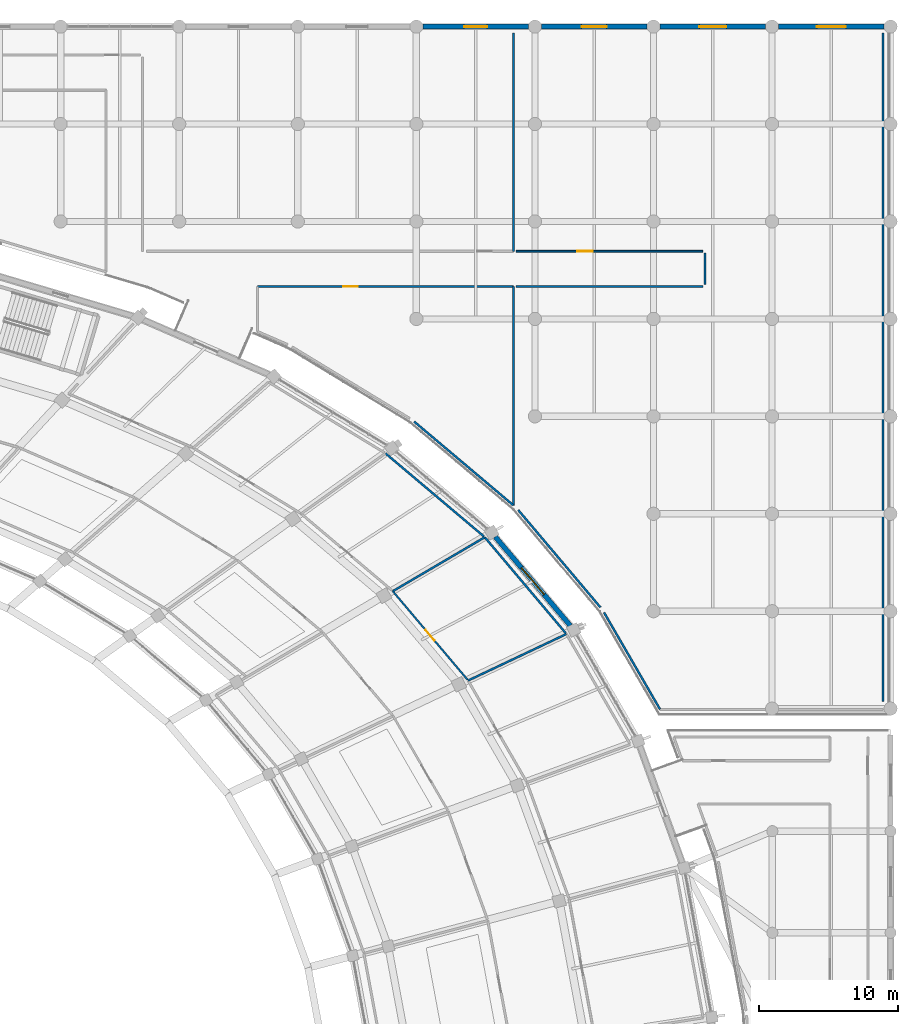
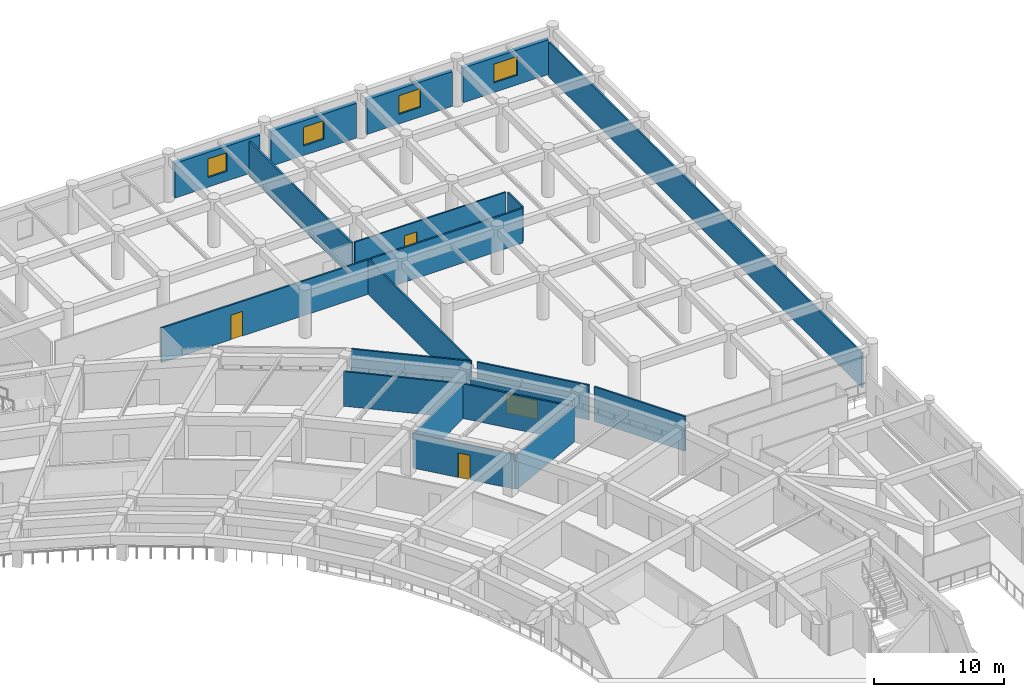
# One storey, part 114 of 145: 20 walls, 5 windows, 3 doors, 8 openings.
"""IFC4 building model written with IfcOpenShell, lengths in metres."""

from ifc_helpers import new_model, si_unit, direction, frame, frame_2d, origin, place, context, subcontext, project, spatial, rectangle, extrude, material, layer, layer_set, type_object, element, fill, save


model = new_model("IFC4")

# Units and contexts
model_context = context("Model", 3, precision=1e-05, world=origin(), true_north=direction((0.0, 1.0)))
body_context = subcontext(model_context, "Body", "Model", "MODEL_VIEW")
ifc_project = project(units=[si_unit("LENGTHUNIT", "METRE"), si_unit("AREAUNIT", "SQUARE_METRE"), si_unit("VOLUMEUNIT", "CUBIC_METRE"), si_unit("PLANEANGLEUNIT", "RADIAN"), si_unit("MASSUNIT", "GRAM", prefix="KILO")], contexts=[model_context])

# Site, building, storey
site_placement = place(None, origin())
site = spatial("IfcSite", under=ifc_project, at=site_placement, CompositionType="ELEMENT")
building_placement = place(site_placement, origin())
building = spatial("IfcBuilding", under=site, at=building_placement, Name="Mphavela Belvedere Stadium", CompositionType="ELEMENT")
storey_placement = place(building_placement, frame((0.0, 0.0, 10.199951171875)))
storey = spatial("IfcBuildingStorey", under=building, at=storey_placement, Name="L02", CompositionType="ELEMENT", Elevation=10.199951171875)

# Wall, opening, window
ifc_material_1 = material(Name="Honed ashlar limestone masonry", Category="masonry")
ifc_layer_1 = layer(ifc_material_1, 0.35009765625)
ifc_layer_set_1 = layer_set([ifc_layer_1], Name="Honed ashlar limestone masonry")
wall_type_1 = type_object("IfcWallType", Name="WAL-EXT-ASHLAR-350", PredefinedType="STANDARD", material=ifc_layer_set_1)
wall_1_placement = place(storey_placement, frame((206.985595703125, 130.965576171875, 0.0), z_axis=(0.0, 0.0, 1.0), x_axis=(-0.64515466323, 0.764052001184, 0.0)))
wall_1 = element("IfcWall", 1, at=wall_1_placement, inside=storey, type_object=wall_type_1, Name="Classical ashlar facade wall L02-05", PredefinedType="STANDARD", context=body_context, shape_type="SweptSolid", body=[
    extrude(rectangle(XDim=8.355224609375, YDim=0.35009765625, at=frame_2d((4.177734375, 0.0))), origin(), (0.0, 0.0, 1.0), 3.420166015625),
])
opening_1_placement = place(wall_1_placement, frame((2.917724609375, 0.0, 0.89990234375)))
opening_1 = element("IfcOpeningElement", 2, at=opening_1_placement, cuts=wall_1, Name="Opening W-022", PredefinedType="OPENING", context=body_context, shape_type="SweptSolid", body=[
    extrude(rectangle(XDim=2.52001953125, YDim=1.75, at=frame_2d((1.260009765625, 0.875))), frame((0.0, 0.18505859375, 0.0), z_axis=(0.0, -1.0, 0.0), x_axis=(1.0, 0.0, 0.0)), (0.0, 0.0, 1.0), 0.3701171875),
])
ifc_material_2 = material(Name="Bronze-anodised thermally broken aluminium window", Category="aluminium")
window_type_1 = type_object("IfcWindowType", Name="WIN-EXT-22", PartitioningType="SINGLE_PANEL", PredefinedType="WINDOW", material=ifc_material_2)
window_1_placement = place(opening_1_placement, origin())
window_1 = element("IfcWindow", 3, at=window_1_placement, inside=storey, type_object=window_type_1, Name="Belvedere gallery window W-022", OverallHeight=1.75, OverallWidth=2.52001953125, PartitioningType="SINGLE_PANEL", PredefinedType="WINDOW", context=body_context, shape_type="SweptSolid", body=[
    extrude(rectangle(XDim=2.52001953125, YDim=1.75, at=frame_2d((1.260009765625, 0.875))), frame((0.0, 0.030029296875, 0.0), z_axis=(0.0, -1.0, 0.0), x_axis=(1.0, 0.0, 0.0)), (0.0, 0.0, 1.0), 0.06005859375),
])
fill(opening_1, window_1)

wall_2_placement = place(storey_placement, frame((196.39892578125, 174.0, 0.0), z_axis=(0.0, 0.0, 1.0), x_axis=(1.0, 0.0, 0.0)))
wall_2 = element("IfcWall", 4, at=wall_2_placement, inside=storey, type_object=wall_type_1, Name="North Mast and Ceremonial End Forecourt outer facade bay L02-24", PredefinedType="STANDARD", context=body_context, shape_type="SweptSolid", body=[
    extrude(rectangle(XDim=7.572021484375, YDim=0.35009765625, at=frame_2d((3.7861328125, 0.0))), origin(), (0.0, 0.0, 1.0), 3.260009765625),
])
opening_2_placement = place(wall_2_placement, frame((2.9560546875, 0.0, 0.89990234375)))
opening_2 = element("IfcOpeningElement", 5, at=opening_2_placement, cuts=wall_2, Name="Opening W-192", PredefinedType="OPENING", context=body_context, shape_type="SweptSolid", body=[
    extrude(rectangle(XDim=1.659912109375, YDim=1.75, at=frame_2d((0.830078125, 0.875))), frame((0.0, 0.18505859375, 0.0), z_axis=(0.0, -1.0, 0.0), x_axis=(1.0, 0.0, 0.0)), (0.0, 0.0, 1.0), 0.3701171875),
])
ifc_material_3 = material(Name="Bronze-anodised thermally broken aluminium window", Category="aluminium")
window_type_2 = type_object("IfcWindowType", Name="WIN-EXT-16", PartitioningType="SINGLE_PANEL", PredefinedType="WINDOW", material=ifc_material_3)
window_2_placement = place(opening_2_placement, origin())
window_2 = element("IfcWindow", 6, at=window_2_placement, inside=storey, type_object=window_type_2, Name="North Mast and Ceremonial End Forecourt classical window W-192", OverallHeight=1.75, OverallWidth=1.659912109375, PartitioningType="SINGLE_PANEL", PredefinedType="WINDOW", context=body_context, shape_type="SweptSolid", body=[
    extrude(rectangle(XDim=1.659912109375, YDim=1.75, at=frame_2d((0.830078125, 0.875))), frame((0.0, 0.030029296875, 0.0), z_axis=(0.0, -1.0, 0.0), x_axis=(1.0, 0.0, 0.0)), (0.0, 0.0, 1.0), 0.06005859375),
])
fill(opening_2, window_2)

wall_3_placement = place(storey_placement, frame((204.9169921875, 174.0, 0.0), z_axis=(0.0, 0.0, 1.0), x_axis=(1.0, 0.0, 0.0)))
wall_3 = element("IfcWall", 7, at=wall_3_placement, inside=storey, type_object=wall_type_1, Name="North Mast and Ceremonial End Forecourt outer facade bay L02-25", PredefinedType="STANDARD", context=body_context, shape_type="SweptSolid", body=[
    extrude(rectangle(XDim=7.572998046875, YDim=0.35009765625, at=frame_2d((3.78662109375, 0.0))), origin(), (0.0, 0.0, 1.0), 3.260009765625),
])
opening_3_placement = place(wall_3_placement, frame((2.886474609375, 0.0, 0.89990234375)))
opening_3 = element("IfcOpeningElement", 8, at=opening_3_placement, cuts=wall_3, Name="Opening W-193", PredefinedType="OPENING", context=body_context, shape_type="SweptSolid", body=[
    extrude(rectangle(XDim=1.800048828125, YDim=1.75, at=frame_2d((0.89990234375, 0.875))), frame((0.0, 0.18505859375, 0.0), z_axis=(0.0, -1.0, 0.0), x_axis=(1.0, 0.0, 0.0)), (0.0, 0.0, 1.0), 0.3701171875),
])
ifc_material_4 = material(Name="Bronze-anodised thermally broken aluminium window", Category="aluminium")
window_type_3 = type_object("IfcWindowType", Name="WIN-EXT-17", PartitioningType="SINGLE_PANEL", PredefinedType="WINDOW", material=ifc_material_4)
window_3_placement = place(opening_3_placement, origin())
window_3 = element("IfcWindow", 9, at=window_3_placement, inside=storey, type_object=window_type_3, Name="North Mast and Ceremonial End Forecourt classical window W-193", OverallHeight=1.75, OverallWidth=1.800048828125, PartitioningType="SINGLE_PANEL", PredefinedType="WINDOW", context=body_context, shape_type="SweptSolid", body=[
    extrude(rectangle(XDim=1.800048828125, YDim=1.75, at=frame_2d((0.89990234375, 0.875))), frame((0.0, 0.030029296875, 0.0), z_axis=(0.0, -1.0, 0.0), x_axis=(1.0, 0.0, 0.0)), (0.0, 0.0, 1.0), 0.06005859375),
])
fill(opening_3, window_3)

wall_4_placement = place(storey_placement, frame((213.43603515625, 174.0, 0.0), z_axis=(0.0, 0.0, 1.0), x_axis=(1.0, 0.0, 0.0)))
wall_4 = element("IfcWall", 10, at=wall_4_placement, inside=storey, type_object=wall_type_1, Name="North Mast and Ceremonial End Forecourt outer facade bay L02-26", PredefinedType="STANDARD", context=body_context, shape_type="SweptSolid", body=[
    extrude(rectangle(XDim=7.572021484375, YDim=0.35009765625, at=frame_2d((3.7861328125, 0.0))), origin(), (0.0, 0.0, 1.0), 3.260009765625),
])
opening_4_placement = place(wall_4_placement, frame((2.81591796875, 0.0, 0.89990234375)))
opening_4 = element("IfcOpeningElement", 11, at=opening_4_placement, cuts=wall_4, Name="Opening W-194", PredefinedType="OPENING", context=body_context, shape_type="SweptSolid", body=[
    extrude(rectangle(XDim=1.93994140625, YDim=1.75, at=frame_2d((0.969970703125, 0.875))), frame((0.0, 0.18505859375, 0.0), z_axis=(0.0, -1.0, 0.0), x_axis=(1.0, 0.0, 0.0)), (0.0, 0.0, 1.0), 0.3701171875),
])
ifc_material_5 = material(Name="Bronze-anodised thermally broken aluminium window", Category="aluminium")
window_type_4 = type_object("IfcWindowType", Name="WIN-EXT-18", PartitioningType="SINGLE_PANEL", PredefinedType="WINDOW", material=ifc_material_5)
window_4_placement = place(opening_4_placement, origin())
window_4 = element("IfcWindow", 12, at=window_4_placement, inside=storey, type_object=window_type_4, Name="North Mast and Ceremonial End Forecourt classical window W-194", OverallHeight=1.75, OverallWidth=1.93994140625, PartitioningType="SINGLE_PANEL", PredefinedType="WINDOW", context=body_context, shape_type="SweptSolid", body=[
    extrude(rectangle(XDim=1.93994140625, YDim=1.75, at=frame_2d((0.969970703125, 0.875))), frame((0.0, 0.030029296875, 0.0), z_axis=(0.0, -1.0, 0.0), x_axis=(1.0, 0.0, 0.0)), (0.0, 0.0, 1.0), 0.06005859375),
])
fill(opening_4, window_4)

wall_5_placement = place(storey_placement, frame((221.9541015625, 174.0, 0.0), z_axis=(0.0, 0.0, 1.0), x_axis=(1.0, 0.0, 0.0)))
wall_5 = element("IfcWall", 13, at=wall_5_placement, inside=storey, type_object=wall_type_1, Name="North Mast and Ceremonial End Forecourt outer facade bay L02-27", PredefinedType="STANDARD", context=body_context, shape_type="SweptSolid", body=[
    extrude(rectangle(XDim=7.572998046875, YDim=0.35009765625, at=frame_2d((3.78662109375, 0.0))), origin(), (0.0, 0.0, 1.0), 3.260009765625),
])
opening_5_placement = place(wall_5_placement, frame((2.74658203125, 0.0, 0.89990234375)))
opening_5 = element("IfcOpeningElement", 14, at=opening_5_placement, cuts=wall_5, Name="Opening W-195", PredefinedType="OPENING", context=body_context, shape_type="SweptSolid", body=[
    extrude(rectangle(XDim=2.080078125, YDim=1.75, at=frame_2d((1.0400390625, 0.875))), frame((0.0, 0.18505859375, 0.0), z_axis=(0.0, -1.0, 0.0), x_axis=(1.0, 0.0, 0.0)), (0.0, 0.0, 1.0), 0.3701171875),
])
ifc_material_6 = material(Name="Bronze-anodised thermally broken aluminium window", Category="aluminium")
window_type_5 = type_object("IfcWindowType", Name="WIN-EXT-19", PartitioningType="SINGLE_PANEL", PredefinedType="WINDOW", material=ifc_material_6)
window_5_placement = place(opening_5_placement, origin())
window_5 = element("IfcWindow", 15, at=window_5_placement, inside=storey, type_object=window_type_5, Name="North Mast and Ceremonial End Forecourt classical window W-195", OverallHeight=1.75, OverallWidth=2.080078125, PartitioningType="SINGLE_PANEL", PredefinedType="WINDOW", context=body_context, shape_type="SweptSolid", body=[
    extrude(rectangle(XDim=2.080078125, YDim=1.75, at=frame_2d((1.0400390625, 0.875))), frame((0.0, 0.030029296875, 0.0), z_axis=(0.0, -1.0, 0.0), x_axis=(1.0, 0.0, 0.0)), (0.0, 0.0, 1.0), 0.06005859375),
])
fill(opening_5, window_5)

# Wall, opening, door
ifc_material_7 = material(Name="Moisture-resistant sanitary partition assembly")
ifc_layer_2 = layer(ifc_material_7, 0.125)
ifc_layer_set_2 = layer_set([ifc_layer_2], Name="Moisture-resistant sanitary partition assembly")
wall_type_2 = type_object("IfcWallType", Name="WAL-PART-125", PredefinedType="PARTITIONING", material=ifc_layer_set_2)
wall_6_placement = place(storey_placement, frame((199.59521484375, 127.0859375, 0.0), z_axis=(0.0, 0.0, 1.0), x_axis=(-0.64516519871, 0.76404310505, 0.0)))
wall_6 = element("IfcWall", 16, at=wall_6_placement, inside=storey, type_object=wall_type_2, Name="Room L02-46 corridor partition", PredefinedType="PARTITIONING", context=body_context, shape_type="SweptSolid", body=[
    extrude(rectangle(XDim=8.3134765625, YDim=0.125, at=frame_2d((4.15673828125, 0.0))), origin(), (0.0, 0.0, 1.0), 3.25),
])
opening_6_placement = place(wall_6_placement, frame((3.666748046875, 0.0, 0.0)))
opening_6 = element("IfcOpeningElement", 17, at=opening_6_placement, cuts=wall_6, Name="Opening ID-171", PredefinedType="OPENING", context=body_context, shape_type="SweptSolid", body=[
    extrude(rectangle(XDim=0.97998046875, YDim=2.300048828125, at=frame_2d((0.489990234375, 1.14990234375))), frame((0.0, 0.072509765625, 0.0), z_axis=(0.0, -1.0, 0.0), x_axis=(1.0, 0.0, 0.0)), (0.0, 0.0, 1.0), 0.14501953125),
])
ifc_material_8 = material(Name="Hardwood acoustic timber doorset", Category="wood")
door_type_1 = type_object("IfcDoorType", Name="DR-INT-27", OperationType="NOTDEFINED", PredefinedType="DOOR", material=ifc_material_8)
door_1_placement = place(opening_6_placement, origin())
door_1 = element("IfcDoor", 18, at=door_1_placement, inside=storey, type_object=door_type_1, Name="Room L02-46 entrance door ID-171", OperationType="SINGLE_SWING_LEFT", OverallHeight=2.300048828125, OverallWidth=0.97998046875, PredefinedType="DOOR", context=body_context, shape_type="SweptSolid", body=[
    extrude(rectangle(XDim=0.97998046875, YDim=2.300048828125, at=frame_2d((0.489990234375, 1.14990234375))), frame((0.0, 0.02490234375, 0.0), z_axis=(0.0, -1.0, 0.0), x_axis=(1.0, 0.0, 0.0)), (0.0, 0.0, 1.0), 0.050048828125),
])
fill(opening_6, door_1)

wall_7_placement = place(storey_placement, frame((216.5, 157.860107421875, 0.0), z_axis=(0.0, 0.0, 1.0), x_axis=(-1.0, 0.0, 0.0)))
wall_7 = element("IfcWall", 19, at=wall_7_placement, inside=storey, type_object=wall_type_2, Name="Room L02-182 corridor partition", PredefinedType="PARTITIONING", context=body_context, shape_type="SweptSolid", body=[
    extrude(rectangle(XDim=13.39990234375, YDim=0.125, at=frame_2d((6.699951171875, 0.0))), origin(), (0.0, 0.0, 1.0), 3.25),
])
opening_7_placement = place(wall_7_placement, frame((7.89892578125, 0.0, 0.0)))
opening_7 = element("IfcOpeningElement", 20, at=opening_7_placement, cuts=wall_7, Name="Opening ID-462", PredefinedType="OPENING", context=body_context, shape_type="SweptSolid", body=[
    extrude(rectangle(XDim=1.10009765625, YDim=2.300048828125, at=frame_2d((0.550048828125, 1.14990234375))), frame((0.0, 0.072509765625, 0.0), z_axis=(0.0, -1.0, 0.0), x_axis=(1.0, 0.0, 0.0)), (0.0, 0.0, 1.0), 0.14501953125),
])
ifc_material_9 = material(Name="Hardwood acoustic timber doorset", Category="wood")
door_type_2 = type_object("IfcDoorType", Name="DR-INT-30", OperationType="NOTDEFINED", PredefinedType="DOOR", material=ifc_material_9)
door_2_placement = place(opening_7_placement, origin())
door_2 = element("IfcDoor", 21, at=door_2_placement, inside=storey, type_object=door_type_2, Name="Room L02-182 entrance door ID-462", OperationType="SINGLE_SWING_RIGHT", OverallHeight=2.300048828125, OverallWidth=1.10009765625, PredefinedType="DOOR", context=body_context, shape_type="SweptSolid", body=[
    extrude(rectangle(XDim=1.10009765625, YDim=2.300048828125, at=frame_2d((0.550048828125, 1.14990234375))), frame((0.0, 0.02490234375, 0.0), z_axis=(0.0, -1.0, 0.0), x_axis=(1.0, 0.0, 0.0)), (0.0, 0.0, 1.0), 0.050048828125),
])
fill(opening_7, door_2)

ifc_material_10 = material(Name="Acoustic gypsum stud partition assembly")
ifc_layer_3 = layer(ifc_material_10, 0.14990234375)
ifc_layer_set_3 = layer_set([ifc_layer_3], Name="Acoustic gypsum stud partition assembly")
wall_type_3 = type_object("IfcWallType", Name="WAL-PART-150", PredefinedType="PARTITIONING", material=ifc_layer_set_3)
wall_8_placement = place(storey_placement, frame((184.510009765625, 155.340087890625, 0.0), z_axis=(0.0, 0.0, 1.0), x_axis=(1.0, 0.0, 0.0)))
wall_8 = element("IfcWall", 22, at=wall_8_placement, inside=storey, type_object=wall_type_3, Name="Room L02-180 corridor partition", PredefinedType="PARTITIONING", context=body_context, shape_type="SweptSolid", body=[
    extrude(rectangle(XDim=18.389892578125, YDim=0.14990234375, at=frame_2d((9.19482421875, 0.0))), origin(), (0.0, 0.0, 1.0), 3.25),
])
opening_8_placement = place(wall_8_placement, frame((6.175537109375, 0.0, 0.0)))
opening_8 = element("IfcOpeningElement", 23, at=opening_8_placement, cuts=wall_8, Name="Opening ID-460", PredefinedType="OPENING", context=body_context, shape_type="SweptSolid", body=[
    extrude(rectangle(XDim=1.02001953125, YDim=2.300048828125, at=frame_2d((0.510009765625, 1.14990234375))), frame((0.0, 0.0849609375, 0.0), z_axis=(0.0, -1.0, 0.0), x_axis=(1.0, 0.0, 0.0)), (0.0, 0.0, 1.0), 0.169921875),
])
ifc_material_11 = material(Name="Hardwood acoustic timber doorset", Category="wood")
door_type_3 = type_object("IfcDoorType", Name="DR-INT-28", OperationType="NOTDEFINED", PredefinedType="DOOR", material=ifc_material_11)
door_3_placement = place(opening_8_placement, origin())
door_3 = element("IfcDoor", 24, at=door_3_placement, inside=storey, type_object=door_type_3, Name="Room L02-180 entrance door ID-460", OperationType="SINGLE_SWING_RIGHT", OverallHeight=2.300048828125, OverallWidth=1.02001953125, PredefinedType="DOOR", context=body_context, shape_type="SweptSolid", body=[
    extrude(rectangle(XDim=1.02001953125, YDim=2.300048828125, at=frame_2d((0.510009765625, 1.14990234375))), frame((0.0, 0.02490234375, 0.0), z_axis=(0.0, -1.0, 0.0), x_axis=(1.0, 0.0, 0.0)), (0.0, 0.0, 1.0), 0.050048828125),
])
fill(opening_8, door_3)

# Walls
wall_9_placement = place(storey_placement, frame((199.64111328125, 127.01904296875, 0.0), z_axis=(0.0, 0.0, 1.0), x_axis=(0.903854859666, 0.427839213559, 0.0)))
element("IfcWall", 25, at=wall_9_placement, inside=storey, type_object=wall_type_3, Name="Room divider partition L02-0299", PredefinedType="PARTITIONING", context=body_context, shape_type="SweptSolid", body=[
    extrude(rectangle(XDim=7.814208984375, YDim=0.14990234375, at=frame_2d((3.9072265625, 0.0))), origin(), (0.0, 0.0, 1.0), 3.25),
])
wall_10_placement = place(storey_placement, frame((194.231689453125, 133.437744140625, 0.0), z_axis=(0.0, 0.0, 1.0), x_axis=(0.862520085009, 0.506022828492, 0.0)))
element("IfcWall", 26, at=wall_10_placement, inside=storey, type_object=wall_type_3, Name="Room divider partition L02-0303", PredefinedType="PARTITIONING", context=body_context, shape_type="SweptSolid", body=[
    extrude(rectangle(XDim=7.66259765625, YDim=0.14990234375, at=frame_2d((3.831298828125, 0.0))), origin(), (0.0, 0.0, 1.0), 3.25),
])
wall_11_placement = place(storey_placement, frame((200.8408203125, 137.315185546875, 0.0), z_axis=(0.0, 0.0, 1.0), x_axis=(0.645166061073, -0.764042376861, 0.0)))
element("IfcWall", 27, at=wall_11_placement, inside=storey, type_object=wall_type_3, Name="Room divider partition L02-0304", PredefinedType="PARTITIONING", context=body_context, shape_type="SweptSolid", body=[
    extrude(rectangle(XDim=9.013916015625, YDim=0.14990234375, at=frame_2d((4.5068359375, 0.0))), origin(), (0.0, 0.0, 1.0), 3.25),
])
wall_12_placement = place(storey_placement, frame((193.70556640625, 143.343017578125, 0.0), z_axis=(0.0, 0.0, 1.0), x_axis=(0.764252893528, -0.644916672706, 0.0)))
element("IfcWall", 28, at=wall_12_placement, inside=storey, type_object=wall_type_3, Name="Room divider partition L02-0308", PredefinedType="PARTITIONING", context=body_context, shape_type="SweptSolid", body=[
    extrude(rectangle(XDim=9.25732421875, YDim=0.14990234375, at=frame_2d((4.628662109375, 0.0))), origin(), (0.0, 0.0, 1.0), 3.25),
])
wall_13_placement = place(storey_placement, frame((202.89990234375, 155.340087890625, 0.0), z_axis=(0.0, 0.0, 1.0), x_axis=(0.0, -1.0, 0.0)))
element("IfcWall", 29, at=wall_13_placement, inside=storey, type_object=wall_type_3, Name="Room divider partition L02-1011", PredefinedType="PARTITIONING", context=body_context, shape_type="SweptSolid", body=[
    extrude(rectangle(XDim=15.7333984375, YDim=0.14990234375, at=frame_2d((7.86669921875, 0.0))), origin(), (0.0, 0.0, 1.0), 3.25),
])
wall_14_placement = place(storey_placement, frame((202.89990234375, 139.606689453125, 0.0), z_axis=(0.0, 0.0, 1.0), x_axis=(-0.764245949545, 0.644924901523, 0.0)))
element("IfcWall", 30, at=wall_14_placement, inside=storey, type_object=wall_type_3, Name="Room divider partition L02-1012", PredefinedType="PARTITIONING", context=body_context, shape_type="SweptSolid", body=[
    extrude(rectangle(XDim=9.332275390625, YDim=0.14990234375, at=frame_2d((4.666015625, 0.0))), origin(), (0.0, 0.0, 1.0), 3.25),
])
wall_15_placement = place(storey_placement, frame((202.89990234375, 173.550048828125, 0.0), z_axis=(0.0, 0.0, 1.0), x_axis=(0.0, -1.0, 0.0)))
element("IfcWall", 31, at=wall_15_placement, inside=storey, type_object=wall_type_3, Name="Room divider partition L02-1013", PredefinedType="PARTITIONING", context=body_context, shape_type="SweptSolid", body=[
    extrude(rectangle(XDim=15.68994140625, YDim=0.14990234375, at=frame_2d((7.844970703125, 0.0))), origin(), (0.0, 0.0, 1.0), 3.25),
])
wall_16_placement = place(storey_placement, frame((209.152587890625, 132.2744140625, 0.0), z_axis=(0.0, 0.0, 1.0), x_axis=(-0.645180125691, 0.764030500316, 0.0)))
element("IfcWall", 32, at=wall_16_placement, inside=storey, type_object=wall_type_3, Name="Room divider partition L02-1014", PredefinedType="PARTITIONING", context=body_context, shape_type="SweptSolid", body=[
    extrude(rectangle(XDim=9.1513671875, YDim=0.14990234375, at=frame_2d((4.57568359375, 0.0))), origin(), (0.0, 0.0, 1.0), 3.25),
])
wall_17_placement = place(storey_placement, frame((203.10009765625, 155.340087890625, 0.0), z_axis=(0.0, 0.0, 1.0), x_axis=(0.99999997621, 0.00021812629, 0.0)))
element("IfcWall", 33, at=wall_17_placement, inside=storey, type_object=wall_type_3, Name="Room divider partition L02-1015", PredefinedType="PARTITIONING", context=body_context, shape_type="SweptSolid", body=[
    extrude(rectangle(XDim=13.43115234375, YDim=0.14990234375, at=frame_2d((6.715576171875, 0.0))), origin(), (0.0, 0.0, 1.0), 3.25),
])
wall_18_placement = place(storey_placement, frame((216.6591796875, 155.484375, 0.0), z_axis=(0.0, 0.0, 1.0), x_axis=(-0.000977941508, 0.999999521815, 0.0)))
element("IfcWall", 34, at=wall_18_placement, inside=storey, type_object=wall_type_3, Name="Room divider partition L02-1016", PredefinedType="PARTITIONING", context=body_context, shape_type="SweptSolid", body=[
    extrude(rectangle(XDim=2.246826171875, YDim=0.14990234375, at=frame_2d((1.12353515625, 0.0))), origin(), (0.0, 0.0, 1.0), 3.25),
])
wall_19_placement = place(storey_placement, frame((229.449951171875, 173.550048828125, 0.0), z_axis=(0.0, 0.0, 1.0), x_axis=(0.0, -1.0, 0.0)))
element("IfcWall", 35, at=wall_19_placement, inside=storey, type_object=wall_type_3, Name="Room divider partition L02-1017", PredefinedType="PARTITIONING", context=body_context, shape_type="SweptSolid", body=[
    extrude(rectangle(XDim=48.050048828125, YDim=0.14990234375, at=frame_2d((24.02490234375, 0.0))), origin(), (0.0, 0.0, 1.0), 3.25),
])
wall_20_placement = place(storey_placement, frame((213.4326171875, 124.949951171875, 0.0), z_axis=(0.0, 0.0, 1.0), x_axis=(-0.500545605998, 0.865710168773, 0.0)))
element("IfcWall", 36, at=wall_20_placement, inside=storey, type_object=wall_type_3, Name="Room divider partition L02-1019", PredefinedType="PARTITIONING", context=body_context, shape_type="SweptSolid", body=[
    extrude(rectangle(XDim=8.04296875, YDim=0.14990234375, at=frame_2d((4.021484375, 0.0))), origin(), (0.0, 0.0, 1.0), 3.25),
])

save(model, "model.ifc")
